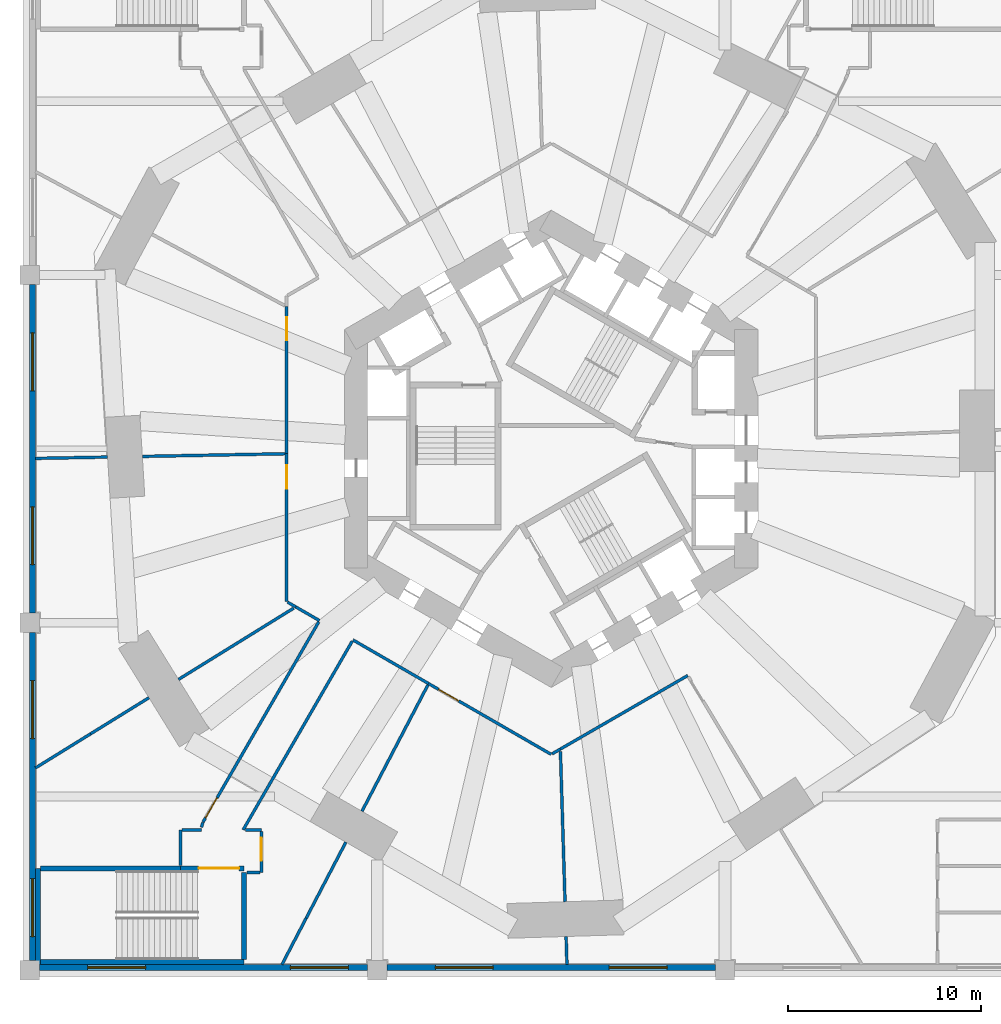
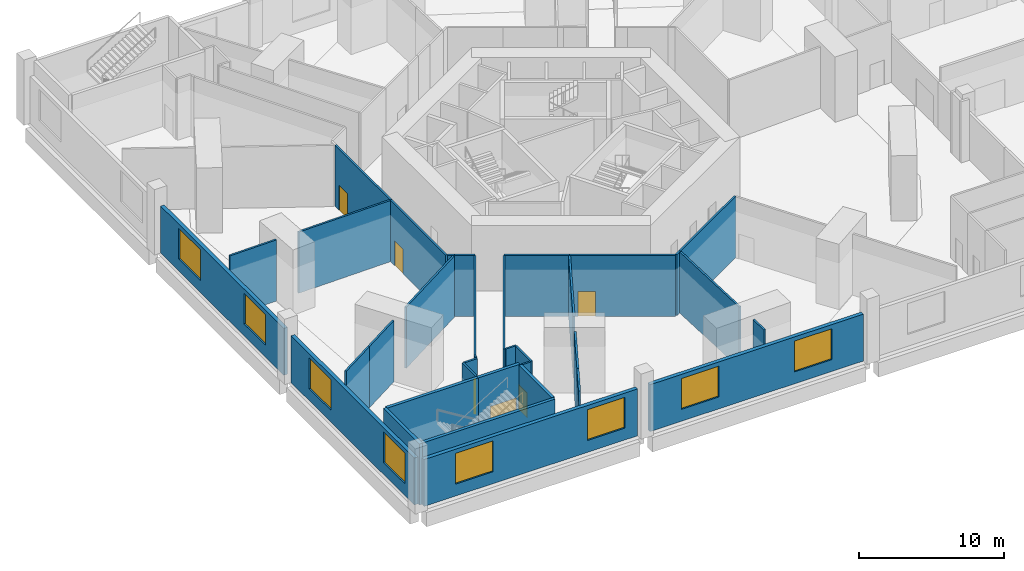
# One storey, part 5 of 16: 35 walls, 8 windows, 6 doors, 14 openings.
"""IFC4 building model written with IfcOpenShell, lengths in metres."""

import ifcopenshell
import ifcopenshell.guid

model = None  # the IFC model being written
_history = None  # IfcOwnerHistory: only IFC2X3 demands one
_inside = {}  # id of a spatial element -> (the spatial element, [elements in it])
_under = {}  # id of a project, library or spatial element -> (it, [spatial elements below it])
_declared = {}  # id of a project -> (the project, [libraries it declares])
_typed = {}  # id of a type object -> (the type object, [elements of that type])
_made_of = {}  # id of a material, layer set ... -> (it, [elements and type objects made of it])


def new_model(schema):
    """Start an empty IFC model of exactly this schema.

    Asked for "IFC4X3", IfcOpenShell would pick the latest addendum, in which some entities
    have other attributes; the version numbers below select the first issue.
    IFC2X3 requires an IfcOwnerHistory on every rooted entity: one is made here for all.
    """
    global model, _history
    if schema == "IFC4X3":
        model = ifcopenshell.file(schema_version=(4, 3, 0, 0))
    else:
        model = ifcopenshell.file(schema=schema)
    _inside.clear()
    _under.clear()
    _declared.clear()
    _typed.clear()
    _made_of.clear()
    _history = None
    if model.schema == "IFC2X3":
        org = make("IfcOrganization", Name="unknown")
        user = make(
            "IfcPersonAndOrganization",
            ThePerson=make("IfcPerson", FamilyName="unknown"),
            TheOrganization=org,
        )
        app = make(
            "IfcApplication",
            ApplicationDeveloper=org,
            Version="unknown",
            ApplicationFullName="unknown",
            ApplicationIdentifier="unknown",
        )
        _history = make(
            "IfcOwnerHistory",
            OwningUser=user,
            OwningApplication=app,
            ChangeAction="ADDED",
            CreationDate=0,
        )
    return model


def make(cls, **values):
    """One entity of the class cls with the attributes given. An attribute that is None is left unset."""
    return model.create_entity(
        cls, **{name: value for name, value in values.items() if value is not None}
    )


def rooted(cls, **values):
    """An entity with a GlobalId (a new one), such as an element, a storey or a relation."""
    return make(cls, GlobalId=ifcopenshell.guid.new(), OwnerHistory=_history, **values)


def si_unit(unit_type, name, prefix=None):
    """IfcSIUnit, for example si_unit("LENGTHUNIT", "METRE", prefix="MILLI")."""
    return make("IfcSIUnit", UnitType=unit_type, Prefix=prefix, Name=name)


def assignment(units):
    """IfcUnitAssignment: the units of a project."""
    return None if units is None else make("IfcUnitAssignment", Units=units)


def point(xyz):
    """IfcCartesianPoint."""
    return None if xyz is None else make("IfcCartesianPoint", Coordinates=xyz)


def direction(xyz):
    """IfcDirection."""
    return None if xyz is None else make("IfcDirection", DirectionRatios=xyz)


def frame(location, z_axis=None, x_axis=None):
    """IfcAxis2Placement3D, a coordinate frame: its origin and axes. An axis left out is left unset."""
    return make(
        "IfcAxis2Placement3D",
        Location=point(location),
        Axis=direction(z_axis),
        RefDirection=direction(x_axis),
    )


def frame_2d(location, x_axis=None):
    """IfcAxis2Placement2D, a coordinate frame in the plane: its origin and x axis."""
    return make(
        "IfcAxis2Placement2D", Location=point(location), RefDirection=direction(x_axis)
    )


def origin():
    """The frame at (0, 0, 0) with its axes left unset."""
    return frame((0.0, 0.0, 0.0))


def place(relative_to, where):
    """IfcLocalPlacement: puts the frame where relative to a parent placement (None: the world)."""
    return make(
        "IfcLocalPlacement", PlacementRelTo=relative_to, RelativePlacement=where
    )


def context(
    kind, dimensions, precision=None, world=None, true_north=None, identifier=None
):
    """IfcGeometricRepresentationContext, for example the 3D "Model" context."""
    return make(
        "IfcGeometricRepresentationContext",
        ContextIdentifier=identifier,
        ContextType=kind,
        CoordinateSpaceDimension=dimensions,
        Precision=precision,
        WorldCoordinateSystem=world,
        TrueNorth=true_north,
    )


def subcontext(parent, identifier, kind, view, scale=None):
    """IfcGeometricRepresentationSubContext, for example "Body" below "Model"."""
    return make(
        "IfcGeometricRepresentationSubContext",
        ContextIdentifier=identifier,
        ContextType=kind,
        ParentContext=parent,
        TargetScale=scale,
        TargetView=view,
    )


def project(units=None, contexts=None):
    """IfcProject with its units and contexts."""
    return rooted(
        "IfcProject",
        Name="project",
        RepresentationContexts=contexts,
        UnitsInContext=assignment(units),
    )


def spatial(cls, under=None, at=None, **own):
    """A site, building, storey or space (cls), placed at a placement, below another one or the project."""
    s = rooted(cls, ObjectPlacement=at, **own)
    if under is not None:
        _under.setdefault(under.id(), (under, []))[1].append(s)
    return s


def profile(cls, at=None, kind="AREA", **sizes):
    """A parametric profile (cls). Its sizes go by their IFC names, for example OverallWidth=200.0."""
    return make(cls, ProfileType=kind, Position=at, **sizes)


def rectangle(**sizes):
    """IfcRectangleProfileDef."""
    return profile("IfcRectangleProfileDef", **sizes)


def extrude(swept, where, along, depth):
    """IfcExtrudedAreaSolid: the profile swept, set in the frame where, extruded along a direction by depth."""
    return make(
        "IfcExtrudedAreaSolid",
        SweptArea=swept,
        Position=where,
        ExtrudedDirection=direction(along),
        Depth=depth,
    )


def shape(context_of_items, identifier, shape_type, items):
    """IfcShapeRepresentation: the items that make up one representation, for example the "Body"."""
    return make(
        "IfcShapeRepresentation",
        ContextOfItems=context_of_items,
        RepresentationIdentifier=identifier,
        RepresentationType=shape_type,
        Items=items,
    )


def material(Name=None, Category=None):
    """IfcMaterial."""
    return make("IfcMaterial", Name=Name, Category=Category)


def layer(
    of_material, thickness, ventilated=None, Name=None, Category=None, Priority=None
):
    """IfcMaterialLayer: one layer of a wall or slab, of a material (None: an air gap)."""
    return make(
        "IfcMaterialLayer",
        Material=of_material,
        LayerThickness=thickness,
        IsVentilated=ventilated,
        Name=Name,
        Category=Category,
        Priority=Priority,
    )


def layer_set(layers, Name=None):
    """IfcMaterialLayerSet."""
    return make("IfcMaterialLayerSet", MaterialLayers=layers, LayerSetName=Name)


def made_of(thing, what):
    """Note that an element or type object is made of a material, layer set ...; save() writes the relation."""
    if what is not None:
        _made_of.setdefault(what.id(), (what, []))[1].append(thing)
    return thing


def type_object(cls, material=None, **own):
    """A type object (cls), such as IfcWallType, which elements share."""
    return made_of(rooted(cls, **own), material)


def element(
    cls,
    number,
    at=None,
    inside=None,
    cuts=None,
    type_object=None,
    material=None,
    context=None,
    identifier="Body",
    shape_type=None,
    held_by="IfcProductDefinitionShape",
    body=None,
    shapes=None,
    **own,
):
    """One element of the class cls, such as IfcWall. Its Tag is "e" and its number.

    at: its placement. inside: the storey or other place that contains it. cuts: it is an
    opening in that element (IfcRelVoidsElement). A single representation is given by context,
    identifier, shape_type and body (its items); several are given by shapes. held_by: the class
    of the entity that holds the representations. save() writes the other relations.
    """
    e = rooted(cls, Tag="e%d" % number, ObjectPlacement=at, **own)
    if body is not None:
        shapes = [shape(context, identifier, shape_type, body)]
    if shapes is not None:
        e.Representation = make(held_by, Representations=shapes)
    if inside is not None:
        _inside.setdefault(inside.id(), (inside, []))[1].append(e)
    if cuts is not None:
        rooted(
            "IfcRelVoidsElement", RelatingBuildingElement=cuts, RelatedOpeningElement=e
        )
    if type_object is not None:
        _typed.setdefault(type_object.id(), (type_object, []))[1].append(e)
    return made_of(e, material)


def fill(opening, filler):
    """IfcRelFillsElement: the door or window that sits in an opening."""
    return rooted(
        "IfcRelFillsElement",
        RelatingOpeningElement=opening,
        RelatedBuildingElement=filler,
    )


def aggregate(whole, parts):
    """IfcRelAggregates: a whole, such as a stair, and the parts it consists of."""
    return rooted("IfcRelAggregates", RelatingObject=whole, RelatedObjects=parts)


def save(model, path):
    """Write the relations noted so far, then the file.

    IfcRelAggregates (storeys below a building ...), IfcRelContainedInSpatialStructure (elements
    in a storey), IfcRelDefinesByType, IfcRelAssociatesMaterial and IfcRelDeclares: one each for
    every whole, place, type object, material and project.
    """
    for whole, parts in _under.values():
        aggregate(whole, parts)
    for where, things in _inside.values():
        rooted(
            "IfcRelContainedInSpatialStructure",
            RelatedElements=things,
            RelatingStructure=where,
        )
    for kind, things in _typed.values():
        rooted("IfcRelDefinesByType", RelatedObjects=things, RelatingType=kind)
    for what, things in _made_of.values():
        rooted("IfcRelAssociatesMaterial", RelatedObjects=things, RelatingMaterial=what)
    for by, libraries in _declared.values():
        rooted("IfcRelDeclares", RelatingContext=by, RelatedDefinitions=libraries)
    model.write(path)


model = new_model("IFC4")

# Units and contexts
model_context = context("Model", 3, precision=1e-05, world=origin(), true_north=direction((0.0, 1.0)))
body_context = subcontext(model_context, "Body", "Model", "MODEL_VIEW")
ifc_project = project(units=[si_unit("LENGTHUNIT", "METRE"), si_unit("AREAUNIT", "SQUARE_METRE"), si_unit("VOLUMEUNIT", "CUBIC_METRE"), si_unit("PLANEANGLEUNIT", "RADIAN"), si_unit("MASSUNIT", "GRAM", prefix="KILO")], contexts=[model_context])

# Site, building, storey
site_placement = place(None, origin())
site = spatial("IfcSite", under=ifc_project, at=site_placement, CompositionType="ELEMENT")
building_placement = place(site_placement, origin())
building = spatial("IfcBuilding", under=site, at=building_placement, Name="Vanh Sen Convention Tower", CompositionType="ELEMENT")
storey_placement = place(building_placement, frame((0.0, 0.0, 29.0)))
storey = spatial("IfcBuildingStorey", under=building, at=storey_placement, Name="L04", CompositionType="ELEMENT", Elevation=29.0)

# Walls
ifc_material_1 = material(Name="Concrete C40/50", Category="concrete")
ifc_layer_1 = layer(ifc_material_1, 0.25)
ifc_layer_set_1 = layer_set([ifc_layer_1], Name="Concrete C40/50")
wall_type_1 = type_object("IfcWallType", Name="Concrete wall 250 REI 180", PredefinedType="SOLIDWALL", material=ifc_layer_set_1)
wall_1_placement = place(storey_placement, frame((-15.89990234375, -21.925048828125, 0.0), z_axis=(0.0, 0.0, 1.0), x_axis=(0.0, -1.0, 0.0)))
element("IfcWall", 1, at=wall_1_placement, inside=storey, type_object=wall_type_1, Name="Fire-resisting wall L04-010", PredefinedType="SOLIDWALL", context=body_context, shape_type="SweptSolid", body=[
    extrude(rectangle(XDim=4.514892578125, YDim=0.25, at=frame_2d((2.25732421875, 0.0))), origin(), (0.0, 0.0, 1.0), 5.14990234375),
])
wall_2_placement = place(storey_placement, frame((-26.43994140625, -21.72509765625, 0.0), z_axis=(0.0, 0.0, 1.0), x_axis=(1.0, 0.0, 0.0)))
element("IfcWall", 2, at=wall_2_placement, inside=storey, type_object=wall_type_1, Name="Fire-resisting wall L04-012", PredefinedType="SOLIDWALL", context=body_context, shape_type="SweptSolid", body=[
    extrude(rectangle(XDim=7.239990234375, YDim=0.25, at=frame_2d((3.6201171875, 0.0))), origin(), (0.0, 0.0, 1.0), 5.14990234375),
])

# Wall, opening, door
wall_3_placement = place(storey_placement, frame((-19.199951171875, -21.72509765625, 0.0), z_axis=(0.0, 0.0, 1.0), x_axis=(1.0, 0.0, 0.0)))
wall_3 = element("IfcWall", 3, at=wall_3_placement, inside=storey, type_object=wall_type_1, Name="Fire-resisting wall L04-013", PredefinedType="SOLIDWALL", context=body_context, shape_type="SweptSolid", body=[
    extrude(rectangle(XDim=3.300048828125, YDim=0.25, at=frame_2d((1.64990234375, 0.0))), origin(), (0.0, 0.0, 1.0), 5.14990234375),
])
opening_1_placement = place(wall_3_placement, frame((0.949951171875, 0.0, 0.0)))
opening_1 = element("IfcOpeningElement", 4, at=opening_1_placement, cuts=wall_3, Name="Opening D04103", PredefinedType="OPENING", context=body_context, shape_type="SweptSolid", body=[
    extrude(rectangle(XDim=2.10009765625, YDim=2.39990234375, at=frame_2d((1.050048828125, 1.199951171875))), frame((0.0, 0.135009765625, 0.0), z_axis=(0.0, -1.0, 0.0), x_axis=(1.0, 0.0, 0.0)), (0.0, 0.0, 1.0), 0.27001953125),
])
ifc_material_2 = material(Name="Steel S355", Category="steel")
door_type_1 = type_object("IfcDoorType", Name="Stair door 2100 EI 60", OperationType="DOUBLE_DOOR_SINGLE_SWING", PredefinedType="DOOR", material=ifc_material_2)
door_1_placement = place(opening_1_placement, frame((2.10009765625, 0.0, 0.0), z_axis=(0.0, 0.0, 1.0), x_axis=(-1.0, 0.0, 0.0)))
door_1 = element("IfcDoor", 5, at=door_1_placement, inside=storey, type_object=door_type_1, Name="Stair door D04103", OperationType="DOUBLE_DOOR_SINGLE_SWING", OverallHeight=2.39990234375, OverallWidth=2.10009765625, PredefinedType="DOOR", context=body_context, shape_type="SweptSolid", body=[
    extrude(rectangle(XDim=2.10009765625, YDim=2.39990234375, at=frame_2d((1.050048828125, 1.199951171875))), frame((0.0, 0.02490234375, 0.0), z_axis=(0.0, -1.0, 0.0), x_axis=(1.0, 0.0, 0.0)), (0.0, 0.0, 1.0), 0.050048828125),
])
fill(opening_1, door_1)

# Walls
wall_4_placement = place(storey_placement, frame((-26.574951171875, -21.72509765625, 0.0), z_axis=(0.0, 0.0, 1.0), x_axis=(0.0, -1.0, 0.0)))
element("IfcWall", 6, at=wall_4_placement, inside=storey, type_object=wall_type_1, Name="Stair enclosure wall PS6 L04", PredefinedType="SOLIDWALL", context=body_context, shape_type="SweptSolid", body=[
    extrude(rectangle(XDim=4.974853515625, YDim=0.25, at=frame_2d((2.4873046875, 0.0))), origin(), (0.0, 0.0, 1.0), 5.14990234375),
])
wall_5_placement = place(storey_placement, frame((-26.449951171875, -26.574951171875, 0.0), z_axis=(0.0, 0.0, 1.0), x_axis=(1.0, 0.0, 0.0)))
element("IfcWall", 7, at=wall_5_placement, inside=storey, type_object=wall_type_1, Name="Stair enclosure wall PS6 L04", PredefinedType="SOLIDWALL", context=body_context, shape_type="SweptSolid", body=[
    extrude(rectangle(XDim=10.550048828125, YDim=0.25, at=frame_2d((5.27490234375, 0.0))), origin(), (0.0, 0.0, 1.0), 5.14990234375),
])
ifc_material_3 = material(Name="Acoustic operable panels on an overhead track", Category="gypsum")
ifc_layer_2 = layer(ifc_material_3, 0.14990234375)
ifc_layer_set_2 = layer_set([ifc_layer_2], Name="Acoustic operable panels on an overhead track")
wall_type_2 = type_object("IfcWallType", Name="Operable partition 150 EI 60", PredefinedType="MOVABLE", material=ifc_layer_set_2)
wall_6_placement = place(storey_placement, frame((0.478759765625, -15.6650390625, 0.0), z_axis=(0.0, 0.0, 1.0), x_axis=(0.030535907252, -0.999533670453, 0.0)))
element("IfcWall", 8, at=wall_6_placement, inside=storey, type_object=wall_type_2, Name="Operable partition L04-030", PredefinedType="MOVABLE", context=body_context, shape_type="SweptSolid", body=[
    extrude(rectangle(XDim=7.787353515625, YDim=0.14990234375, at=frame_2d((3.8935546875, 0.0))), origin(), (0.0, 0.0, 1.0), 5.14990234375),
])
ifc_material_4 = material(Name="Gypsum board on steel studs", Category="steel")
ifc_layer_3 = layer(ifc_material_4, 0.14990234375)
ifc_layer_set_3 = layer_set([ifc_layer_3], Name="Gypsum board on steel studs")
wall_type_3 = type_object("IfcWallType", Name="Partition 150 EI 60", PredefinedType="PARTITIONING", material=ifc_layer_set_3)
wall_7_placement = place(storey_placement, frame((0.771484375, -25.247802734375, 0.0), z_axis=(0.0, 0.0, 1.0), x_axis=(0.030584206332, -0.99953219374, 0.0)))
element("IfcWall", 9, at=wall_7_placement, inside=storey, type_object=wall_type_3, Name="Partition L04-004", PredefinedType="PARTITIONING", context=body_context, shape_type="SweptSolid", body=[
    extrude(rectangle(XDim=1.452880859375, YDim=0.14990234375, at=frame_2d((0.7265625, 0.0))), origin(), (0.0, 0.0, 1.0), 5.14990234375),
])
wall_8_placement = place(storey_placement, frame((-12.685546875, -24.300048828125, 0.0), z_axis=(0.0, 0.0, 1.0), x_axis=(-0.462800215564, -0.886462610872, 0.0)))
element("IfcWall", 10, at=wall_8_placement, inside=storey, type_object=wall_type_3, Name="Partition L04-005", PredefinedType="PARTITIONING", context=body_context, shape_type="SweptSolid", body=[
    extrude(rectangle(XDim=2.707275390625, YDim=0.14990234375, at=frame_2d((1.353515625, 0.0))), origin(), (0.0, 0.0, 1.0), 5.14990234375),
])
wall_9_placement = place(storey_placement, frame((-12.685546875, -24.300048828125, 0.0), z_axis=(0.0, 0.0, 1.0), x_axis=(0.462800821993, 0.88646229427, 0.0)))
element("IfcWall", 11, at=wall_9_placement, inside=storey, type_object=wall_type_3, Name="Partition L04-006", PredefinedType="PARTITIONING", context=body_context, shape_type="SweptSolid", body=[
    extrude(rectangle(XDim=4.441162109375, YDim=0.14990234375, at=frame_2d((2.220703125, 0.0))), origin(), (0.0, 0.0, 1.0), 5.14990234375),
])
wall_10_placement = place(storey_placement, frame((-15.080078125, -21.925048828125, 0.0), z_axis=(0.0, 0.0, 1.0), x_axis=(-1.0, 0.0, 0.0)))
element("IfcWall", 12, at=wall_10_placement, inside=storey, type_object=wall_type_3, Name="Partition L04-011", PredefinedType="PARTITIONING", context=body_context, shape_type="SweptSolid", body=[
    extrude(rectangle(XDim=0.679931640625, YDim=0.14990234375, at=frame_2d((0.33984375, 0.0))), origin(), (0.0, 0.0, 1.0), 5.14990234375),
])
wall_11_placement = place(storey_placement, frame((-19.199951171875, -21.5849609375, 0.0), z_axis=(0.0, 0.0, 1.0), x_axis=(0.0, 1.0, 0.0)))
element("IfcWall", 13, at=wall_11_placement, inside=storey, type_object=wall_type_3, Name="Partition L04-018", PredefinedType="PARTITIONING", context=body_context, shape_type="SweptSolid", body=[
    extrude(rectangle(XDim=1.85986328125, YDim=0.14990234375, at=frame_2d((0.929931640625, 0.0))), origin(), (0.0, 0.0, 1.0), 5.14990234375),
])

# Wall, opening, door
wall_12_placement = place(storey_placement, frame((-15.0, -19.804931640625, 0.0), z_axis=(0.0, 0.0, 1.0), x_axis=(0.0, -1.0, 0.0)))
wall_12 = element("IfcWall", 14, at=wall_12_placement, inside=storey, type_object=wall_type_3, Name="Partition L04-019", PredefinedType="PARTITIONING", context=body_context, shape_type="SweptSolid", body=[
    extrude(rectangle(XDim=2.1201171875, YDim=0.14990234375, at=frame_2d((1.06005859375, 0.0))), origin(), (0.0, 0.0, 1.0), 5.14990234375),
])
opening_2_placement = place(wall_12_placement, frame((0.320068359375, 0.0, 0.0)))
opening_2 = element("IfcOpeningElement", 15, at=opening_2_placement, cuts=wall_12, Name="Opening D04106", PredefinedType="OPENING", context=body_context, shape_type="SweptSolid", body=[
    extrude(rectangle(XDim=1.199951171875, YDim=2.10009765625, at=frame_2d((0.60009765625, 1.050048828125))), frame((0.0, 0.0849609375, 0.0), z_axis=(0.0, -1.0, 0.0), x_axis=(1.0, 0.0, 0.0)), (0.0, 0.0, 1.0), 0.169921875),
])
ifc_material_5 = material(Name="Timber door in steel frame", Category="steel")
door_type_2 = type_object("IfcDoorType", Name="Room door 1200 EI 30", OperationType="SINGLE_SWING_LEFT", PredefinedType="DOOR", material=ifc_material_5)
door_2_placement = place(opening_2_placement, origin())
door_2 = element("IfcDoor", 16, at=door_2_placement, inside=storey, type_object=door_type_2, Name="Room door D04106", OperationType="SINGLE_SWING_LEFT", OverallHeight=2.10009765625, OverallWidth=1.199951171875, PredefinedType="DOOR", context=body_context, shape_type="SweptSolid", body=[
    extrude(rectangle(XDim=1.199951171875, YDim=2.10009765625, at=frame_2d((0.60009765625, 1.050048828125))), frame((0.0, 0.02490234375, 0.0), z_axis=(0.0, -1.0, 0.0), x_axis=(1.0, 0.0, 0.0)), (0.0, 0.0, 1.0), 0.050048828125),
])
fill(opening_2, door_2)

# Walls
wall_13_placement = place(storey_placement, frame((-19.1201171875, -19.72509765625, 0.0), z_axis=(0.0, 0.0, 1.0), x_axis=(1.0, 0.0, 0.0)))
element("IfcWall", 17, at=wall_13_placement, inside=storey, type_object=wall_type_3, Name="Partition L04-020", PredefinedType="PARTITIONING", context=body_context, shape_type="SweptSolid", body=[
    extrude(rectangle(XDim=1.02001953125, YDim=0.14990234375, at=frame_2d((0.510009765625, 0.0))), origin(), (0.0, 0.0, 1.0), 5.14990234375),
])
wall_14_placement = place(storey_placement, frame((-15.824951171875, -19.72509765625, 0.0), z_axis=(0.0, 0.0, 1.0), x_axis=(1.0, 0.0, 0.0)))
element("IfcWall", 18, at=wall_14_placement, inside=storey, type_object=wall_type_3, Name="Partition L04-021", PredefinedType="PARTITIONING", context=body_context, shape_type="SweptSolid", body=[
    extrude(rectangle(XDim=0.824951171875, YDim=0.14990234375, at=frame_2d((0.41259765625, 0.0))), origin(), (0.0, 0.0, 1.0), 5.14990234375),
])
wall_15_placement = place(storey_placement, frame((-18.10009765625, -19.593017578125, 0.0), z_axis=(0.0, 0.0, 1.0), x_axis=(0.260139468531, 0.965571052234, 0.0)))
element("IfcWall", 19, at=wall_15_placement, inside=storey, type_object=wall_type_3, Name="Partition L04-023", PredefinedType="PARTITIONING", context=body_context, shape_type="SweptSolid", body=[
    extrude(rectangle(XDim=0.263671875, YDim=0.14990234375, at=frame_2d((0.1318359375, 0.0))), origin(), (0.0, 0.0, 1.0), 5.14990234375),
])

# Wall, opening, door
wall_16_placement = place(storey_placement, frame((-18.021484375, -19.3212890625, 0.0), z_axis=(0.0, 0.0, 1.0), x_axis=(0.500403049961, 0.865792577694, 0.0)))
wall_16 = element("IfcWall", 20, at=wall_16_placement, inside=storey, type_object=wall_type_3, Name="Partition L04-024", PredefinedType="PARTITIONING", context=body_context, shape_type="SweptSolid", body=[
    extrude(rectangle(XDim=11.96337890625, YDim=0.14990234375, at=frame_2d((5.981689453125, 0.0))), origin(), (0.0, 0.0, 1.0), 5.14990234375),
])
opening_3_placement = place(wall_16_placement, frame((0.25, 0.0, 0.0)))
opening_3 = element("IfcOpeningElement", 21, at=opening_3_placement, cuts=wall_16, Name="Opening D04107", PredefinedType="OPENING", context=body_context, shape_type="SweptSolid", body=[
    extrude(rectangle(XDim=1.199951171875, YDim=2.10009765625, at=frame_2d((0.60009765625, 1.050048828125))), frame((0.0, 0.0849609375, 0.0), z_axis=(0.0, -1.0, 0.0), x_axis=(1.0, 0.0, 0.0)), (0.0, 0.0, 1.0), 0.169921875),
])
door_3_placement = place(opening_3_placement, origin())
door_3 = element("IfcDoor", 22, at=door_3_placement, inside=storey, type_object=door_type_2, Name="Room door D04107", OperationType="SINGLE_SWING_LEFT", OverallHeight=2.10009765625, OverallWidth=1.199951171875, PredefinedType="DOOR", context=body_context, shape_type="SweptSolid", body=[
    extrude(rectangle(XDim=1.199951171875, YDim=2.10009765625, at=frame_2d((0.60009765625, 1.050048828125))), frame((0.0, 0.02490234375, 0.0), z_axis=(0.0, -1.0, 0.0), x_axis=(1.0, 0.0, 0.0)), (0.0, 0.0, 1.0), 0.050048828125),
])
fill(opening_3, door_3)

# Wall
wall_17_placement = place(storey_placement, frame((-9.79638671875, -18.765869140625, 0.0), z_axis=(0.0, 0.0, 1.0), x_axis=(0.462793341808, 0.886466199456, 0.0)))
element("IfcWall", 23, at=wall_17_placement, inside=storey, type_object=wall_type_3, Name="Partition L04-027", PredefinedType="PARTITIONING", context=body_context, shape_type="SweptSolid", body=[
    extrude(rectangle(XDim=7.37646484375, YDim=0.14990234375, at=frame_2d((3.688232421875, 0.0))), origin(), (0.0, 0.0, 1.0), 5.14990234375),
])

# Wall, opening, door
wall_18_placement = place(storey_placement, frame((0.0, -15.819580078125, 0.0), z_axis=(0.0, 0.0, 1.0), x_axis=(-0.866018019704, 0.500012789385, 0.0)))
wall_18 = element("IfcWall", 24, at=wall_18_placement, inside=storey, type_object=wall_type_3, Name="Partition L04-029", PredefinedType="PARTITIONING", context=body_context, shape_type="SweptSolid", body=[
    extrude(rectangle(XDim=7.327392578125, YDim=0.14990234375, at=frame_2d((3.66357421875, 0.0))), origin(), (0.0, 0.0, 1.0), 5.14990234375),
])
opening_4_placement = place(wall_18_placement, frame((5.52734375, 0.0, 0.0)))
opening_4 = element("IfcOpeningElement", 25, at=opening_4_placement, cuts=wall_18, Name="Opening D04109", PredefinedType="OPENING", context=body_context, shape_type="SweptSolid", body=[
    extrude(rectangle(XDim=1.199951171875, YDim=2.10009765625, at=frame_2d((0.60009765625, 1.050048828125))), frame((0.0, 0.0849609375, 0.0), z_axis=(0.0, -1.0, 0.0), x_axis=(1.0, 0.0, 0.0)), (0.0, 0.0, 1.0), 0.169921875),
])
door_4_placement = place(opening_4_placement, origin())
door_4 = element("IfcDoor", 26, at=door_4_placement, inside=storey, type_object=door_type_2, Name="Room door D04109", OperationType="SINGLE_SWING_LEFT", OverallHeight=2.10009765625, OverallWidth=1.199951171875, PredefinedType="DOOR", context=body_context, shape_type="SweptSolid", body=[
    extrude(rectangle(XDim=1.199951171875, YDim=2.10009765625, at=frame_2d((0.60009765625, 1.050048828125))), frame((0.0, 0.02490234375, 0.0), z_axis=(0.0, -1.0, 0.0), x_axis=(1.0, 0.0, 0.0)), (0.0, 0.0, 1.0), 0.050048828125),
])
fill(opening_4, door_4)

# Walls
wall_19_placement = place(storey_placement, frame((0.474853515625, -15.545166015625, 0.0), z_axis=(0.0, 0.0, 1.0), x_axis=(0.866021168401, 0.500007335828, 0.0)))
element("IfcWall", 27, at=wall_19_placement, inside=storey, type_object=wall_type_3, Name="Partition L04-031", PredefinedType="PARTITIONING", context=body_context, shape_type="SweptSolid", body=[
    extrude(rectangle(XDim=7.6162109375, YDim=0.14990234375, at=frame_2d((3.80810546875, 0.0))), origin(), (0.0, 0.0, 1.0), 5.14990234375),
])
wall_20_placement = place(storey_placement, frame((0.47509765625, -15.545166015625, 0.0), z_axis=(0.0, 0.0, 1.0), x_axis=(-0.865927594567, -0.50016937228, 0.0)))
element("IfcWall", 28, at=wall_20_placement, inside=storey, type_object=wall_type_3, Name="Partition L04-032", PredefinedType="PARTITIONING", context=body_context, shape_type="SweptSolid", body=[
    extrude(rectangle(XDim=0.488525390625, YDim=0.14990234375, at=frame_2d((0.244140625, 0.0))), origin(), (0.0, 0.0, 1.0), 5.14990234375),
])
wall_21_placement = place(storey_placement, frame((-23.843017578125, -14.75439453125, 0.0), z_axis=(0.0, 0.0, 1.0), x_axis=(-0.850333278488, -0.526244539635, 0.0)))
element("IfcWall", 29, at=wall_21_placement, inside=storey, type_object=wall_type_3, Name="Partition L04-033", PredefinedType="PARTITIONING", context=body_context, shape_type="SweptSolid", body=[
    extrude(rectangle(XDim=3.35986328125, YDim=0.14990234375, at=frame_2d((1.679931640625, 0.0))), origin(), (0.0, 0.0, 1.0), 5.14990234375),
])
wall_22_placement = place(storey_placement, frame((-23.843017578125, -14.75439453125, 0.0), z_axis=(0.0, 0.0, 1.0), x_axis=(0.850369165181, 0.526186547633, 0.0)))
element("IfcWall", 30, at=wall_22_placement, inside=storey, type_object=wall_type_3, Name="Partition L04-034", PredefinedType="PARTITIONING", context=body_context, shape_type="SweptSolid", body=[
    extrude(rectangle(XDim=3.55078125, YDim=0.14990234375, at=frame_2d((1.775390625, 0.0))), origin(), (0.0, 0.0, 1.0), 5.14990234375),
])
wall_23_placement = place(storey_placement, frame((-6.345703125, -12.15576171875, 0.0), z_axis=(0.0, 0.0, 1.0), x_axis=(-0.866015706063, 0.50001679657, 0.0)))
element("IfcWall", 31, at=wall_23_placement, inside=storey, type_object=wall_type_3, Name="Partition L04-036", PredefinedType="PARTITIONING", context=body_context, shape_type="SweptSolid", body=[
    extrude(rectangle(XDim=4.523193359375, YDim=0.14990234375, at=frame_2d((2.26171875, 0.0))), origin(), (0.0, 0.0, 1.0), 5.14990234375),
])
wall_24_placement = place(storey_placement, frame((-19.29296875, -11.93896484375, 0.0), z_axis=(0.0, 0.0, 1.0), x_axis=(0.85034374829, 0.526227621609, 0.0)))
element("IfcWall", 32, at=wall_24_placement, inside=storey, type_object=wall_type_3, Name="Partition L04-037", PredefinedType="PARTITIONING", context=body_context, shape_type="SweptSolid", body=[
    extrude(rectangle(XDim=7.015869140625, YDim=0.14990234375, at=frame_2d((3.5078125, 0.0))), origin(), (0.0, 0.0, 1.0), 5.14990234375),
])
wall_25_placement = place(storey_placement, frame((-10.302978515625, -9.96337890625, 0.0), z_axis=(0.0, 0.0, 1.0), x_axis=(-0.500409628778, -0.865788775295, 0.0)))
element("IfcWall", 33, at=wall_25_placement, inside=storey, type_object=wall_type_3, Name="Partition L04-038", PredefinedType="PARTITIONING", context=body_context, shape_type="SweptSolid", body=[
    extrude(rectangle(XDim=11.27490234375, YDim=0.14990234375, at=frame_2d((5.637451171875, 0.0))), origin(), (0.0, 0.0, 1.0), 5.14990234375),
])
wall_26_placement = place(storey_placement, frame((-11.9951171875, -8.89404296875, 0.0), z_axis=(0.0, 0.0, 1.0), x_axis=(-0.866076810767, 0.499910949922, 0.0)))
element("IfcWall", 34, at=wall_26_placement, inside=storey, type_object=wall_type_3, Name="Partition L04-041", PredefinedType="PARTITIONING", context=body_context, shape_type="SweptSolid", body=[
    extrude(rectangle(XDim=1.420166015625, YDim=0.14990234375, at=frame_2d((0.7099609375, 0.0))), origin(), (0.0, 0.0, 1.0), 5.14990234375),
])
wall_27_placement = place(storey_placement, frame((-13.64794921875, -7.939453125, 0.0), z_axis=(0.0, 0.0, 1.0), x_axis=(0.865585916185, -0.500760443428, 0.0)))
element("IfcWall", 35, at=wall_27_placement, inside=storey, type_object=wall_type_3, Name="Partition L04-044", PredefinedType="PARTITIONING", context=body_context, shape_type="SweptSolid", body=[
    extrude(rectangle(XDim=0.488525390625, YDim=0.14990234375, at=frame_2d((0.244140625, 0.0))), origin(), (0.0, 0.0, 1.0), 5.14990234375),
])

# Wall, opening, door
wall_28_placement = place(storey_placement, frame((-13.699951171875, -7.909423828125, 0.0), z_axis=(0.0, 0.0, 1.0), x_axis=(0.0, 1.0, 0.0)))
wall_28 = element("IfcWall", 36, at=wall_28_placement, inside=storey, type_object=wall_type_3, Name="Partition L04-045", PredefinedType="PARTITIONING", context=body_context, shape_type="SweptSolid", body=[
    extrude(rectangle(XDim=7.654541015625, YDim=0.14990234375, at=frame_2d((3.8271484375, 0.0))), origin(), (0.0, 0.0, 1.0), 5.14990234375),
])
opening_5_placement = place(wall_28_placement, frame((5.8544921875, 0.0, 0.0)))
opening_5 = element("IfcOpeningElement", 37, at=opening_5_placement, cuts=wall_28, Name="Opening D04110", PredefinedType="OPENING", context=body_context, shape_type="SweptSolid", body=[
    extrude(rectangle(XDim=1.199951171875, YDim=2.10009765625, at=frame_2d((0.60009765625, 1.050048828125))), frame((0.0, 0.0849609375, 0.0), z_axis=(0.0, -1.0, 0.0), x_axis=(1.0, 0.0, 0.0)), (0.0, 0.0, 1.0), 0.169921875),
])
door_5_placement = place(opening_5_placement, origin())
door_5 = element("IfcDoor", 38, at=door_5_placement, inside=storey, type_object=door_type_2, Name="Room door D04110", OperationType="SINGLE_SWING_LEFT", OverallHeight=2.10009765625, OverallWidth=1.199951171875, PredefinedType="DOOR", context=body_context, shape_type="SweptSolid", body=[
    extrude(rectangle(XDim=1.199951171875, YDim=2.10009765625, at=frame_2d((0.60009765625, 1.050048828125))), frame((0.0, 0.02490234375, 0.0), z_axis=(0.0, -1.0, 0.0), x_axis=(1.0, 0.0, 0.0)), (0.0, 0.0, 1.0), 0.050048828125),
])
fill(opening_5, door_5)

# Walls
wall_29_placement = place(storey_placement, frame((-22.966552734375, -0.427490234375, 0.0), z_axis=(0.0, 0.0, 1.0), x_axis=(-0.999826372694, -0.018633959993, 0.0)))
element("IfcWall", 39, at=wall_29_placement, inside=storey, type_object=wall_type_3, Name="Partition L04-050", PredefinedType="PARTITIONING", context=body_context, shape_type="SweptSolid", body=[
    extrude(rectangle(XDim=3.734130859375, YDim=0.14990234375, at=frame_2d((1.8671875, 0.0))), origin(), (0.0, 0.0, 1.0), 5.14990234375),
])
wall_30_placement = place(storey_placement, frame((-13.780029296875, -0.256591796875, 0.0), z_axis=(0.0, 0.0, 1.0), x_axis=(-0.999826849708, -0.018608347649, 0.0)))
element("IfcWall", 40, at=wall_30_placement, inside=storey, type_object=wall_type_3, Name="Partition L04-051", PredefinedType="PARTITIONING", context=body_context, shape_type="SweptSolid", body=[
    extrude(rectangle(XDim=7.386474609375, YDim=0.14990234375, at=frame_2d((3.693359375, 0.0))), origin(), (0.0, 0.0, 1.0), 5.14990234375),
])

# Wall, opening, door
wall_31_placement = place(storey_placement, frame((-13.699951171875, -0.2548828125, 0.0), z_axis=(0.0, 0.0, 1.0), x_axis=(0.0, 1.0, 0.0)))
wall_31 = element("IfcWall", 41, at=wall_31_placement, inside=storey, type_object=wall_type_3, Name="Partition L04-052", PredefinedType="PARTITIONING", context=body_context, shape_type="SweptSolid", body=[
    extrude(rectangle(XDim=7.616455078125, YDim=0.14990234375, at=frame_2d((3.80810546875, 0.0))), origin(), (0.0, 0.0, 1.0), 5.14990234375),
])
opening_6_placement = place(wall_31_placement, frame((5.866455078125, 0.0, 0.0)))
opening_6 = element("IfcOpeningElement", 42, at=opening_6_placement, cuts=wall_31, Name="Opening D04115", PredefinedType="OPENING", context=body_context, shape_type="SweptSolid", body=[
    extrude(rectangle(XDim=1.199951171875, YDim=2.10009765625, at=frame_2d((0.60009765625, 1.050048828125))), frame((0.0, 0.0849609375, 0.0), z_axis=(0.0, -1.0, 0.0), x_axis=(1.0, 0.0, 0.0)), (0.0, 0.0, 1.0), 0.169921875),
])
door_6_placement = place(opening_6_placement, origin())
door_6 = element("IfcDoor", 43, at=door_6_placement, inside=storey, type_object=door_type_2, Name="Room door D04115", OperationType="SINGLE_SWING_LEFT", OverallHeight=2.10009765625, OverallWidth=1.199951171875, PredefinedType="DOOR", context=body_context, shape_type="SweptSolid", body=[
    extrude(rectangle(XDim=1.199951171875, YDim=2.10009765625, at=frame_2d((0.60009765625, 1.050048828125))), frame((0.0, 0.02490234375, 0.0), z_axis=(0.0, -1.0, 0.0), x_axis=(1.0, 0.0, 0.0)), (0.0, 0.0, 1.0), 0.050048828125),
])
fill(opening_6, door_6)

# Wall, openings, windows
ifc_material_6 = material(Name="Concrete C50/60", Category="concrete")
ifc_layer_4 = layer(ifc_material_6, 0.300048828125)
ifc_layer_set_4 = layer_set([ifc_layer_4], Name="Concrete C50/60")
wall_type_4 = type_object("IfcWallType", Name="Podium wall 300", PredefinedType="STANDARD", material=ifc_layer_set_4)
wall_32_placement = place(storey_placement, frame((-26.5, -26.85009765625, 0.0), z_axis=(0.0, 0.0, 1.0), x_axis=(1.0, 0.0, 0.0)))
wall_32 = element("IfcWall", 44, at=wall_32_placement, inside=storey, type_object=wall_type_4, Name="Podium wall S1 L04", PredefinedType="STANDARD", context=body_context, shape_type="SweptSolid", body=[
    extrude(rectangle(XDim=17.0, YDim=0.300048828125, at=frame_2d((8.5, 0.0))), origin(), (0.0, 0.0, 1.0), 3.949951171875),
])
opening_7_placement = place(wall_32_placement, frame((2.5, 0.0, 1.0)))
opening_7 = element("IfcOpeningElement", 45, at=opening_7_placement, cuts=wall_32, Name="Opening WP2-S1", PredefinedType="OPENING", context=body_context, shape_type="SweptSolid", body=[
    extrude(rectangle(XDim=3.0, YDim=2.60009765625, at=frame_2d((1.5, 1.300048828125))), frame((0.0, 0.159912109375, 0.0), z_axis=(0.0, -1.0, 0.0), x_axis=(1.0, 0.0, 0.0)), (0.0, 0.0, 1.0), 0.320068359375),
])
opening_8_placement = place(wall_32_placement, frame((13.0, 0.0, 1.0)))
opening_8 = element("IfcOpeningElement", 46, at=opening_8_placement, cuts=wall_32, Name="Opening WP2-S2", PredefinedType="OPENING", context=body_context, shape_type="SweptSolid", body=[
    extrude(rectangle(XDim=3.0, YDim=2.60009765625, at=frame_2d((1.5, 1.300048828125))), frame((0.0, 0.159912109375, 0.0), z_axis=(0.0, -1.0, 0.0), x_axis=(1.0, 0.0, 0.0)), (0.0, 0.0, 1.0), 0.320068359375),
])
ifc_material_7 = material(Name="Aluminium frame with clear low-emissivity glass", Category="aluminium")
window_type = type_object("IfcWindowType", Name="Podium window 3000 x 2600", PartitioningType="SINGLE_PANEL", PredefinedType="WINDOW", material=ifc_material_7)
window_1_placement = place(opening_7_placement, origin())
window_1 = element("IfcWindow", 47, at=window_1_placement, inside=storey, type_object=window_type, Name="Window WP2-S1", OverallHeight=2.60009765625, OverallWidth=3.0, PartitioningType="SINGLE_PANEL", PredefinedType="WINDOW", context=body_context, shape_type="SweptSolid", body=[
    extrude(rectangle(XDim=3.0, YDim=2.60009765625, at=frame_2d((1.5, 1.300048828125))), frame((0.0, 0.030029296875, 0.0), z_axis=(0.0, -1.0, 0.0), x_axis=(1.0, 0.0, 0.0)), (0.0, 0.0, 1.0), 0.06005859375),
])
fill(opening_7, window_1)
window_2_placement = place(opening_8_placement, origin())
window_2 = element("IfcWindow", 48, at=window_2_placement, inside=storey, type_object=window_type, Name="Window WP2-S2", OverallHeight=2.60009765625, OverallWidth=3.0, PartitioningType="SINGLE_PANEL", PredefinedType="WINDOW", context=body_context, shape_type="SweptSolid", body=[
    extrude(rectangle(XDim=3.0, YDim=2.60009765625, at=frame_2d((1.5, 1.300048828125))), frame((0.0, 0.030029296875, 0.0), z_axis=(0.0, -1.0, 0.0), x_axis=(1.0, 0.0, 0.0)), (0.0, 0.0, 1.0), 0.06005859375),
])
fill(opening_8, window_2)

wall_33_placement = place(storey_placement, frame((-8.5, -26.85009765625, 0.0), z_axis=(0.0, 0.0, 1.0), x_axis=(1.0, 0.0, 0.0)))
wall_33 = element("IfcWall", 49, at=wall_33_placement, inside=storey, type_object=wall_type_4, Name="Podium wall S2 L04", PredefinedType="STANDARD", context=body_context, shape_type="SweptSolid", body=[
    extrude(rectangle(XDim=17.0, YDim=0.300048828125, at=frame_2d((8.5, 0.0))), origin(), (0.0, 0.0, 1.0), 3.949951171875),
])
opening_9_placement = place(wall_33_placement, frame((2.5, 0.0, 1.0)))
opening_9 = element("IfcOpeningElement", 50, at=opening_9_placement, cuts=wall_33, Name="Opening WP2-S3", PredefinedType="OPENING", context=body_context, shape_type="SweptSolid", body=[
    extrude(rectangle(XDim=3.0, YDim=2.60009765625, at=frame_2d((1.5, 1.300048828125))), frame((0.0, 0.159912109375, 0.0), z_axis=(0.0, -1.0, 0.0), x_axis=(1.0, 0.0, 0.0)), (0.0, 0.0, 1.0), 0.320068359375),
])
opening_10_placement = place(wall_33_placement, frame((11.5, 0.0, 1.0)))
opening_10 = element("IfcOpeningElement", 51, at=opening_10_placement, cuts=wall_33, Name="Opening WP2-S4", PredefinedType="OPENING", context=body_context, shape_type="SweptSolid", body=[
    extrude(rectangle(XDim=3.0, YDim=2.60009765625, at=frame_2d((1.5, 1.300048828125))), frame((0.0, 0.159912109375, 0.0), z_axis=(0.0, -1.0, 0.0), x_axis=(1.0, 0.0, 0.0)), (0.0, 0.0, 1.0), 0.320068359375),
])
window_3_placement = place(opening_9_placement, origin())
window_3 = element("IfcWindow", 52, at=window_3_placement, inside=storey, type_object=window_type, Name="Window WP2-S3", OverallHeight=2.60009765625, OverallWidth=3.0, PartitioningType="SINGLE_PANEL", PredefinedType="WINDOW", context=body_context, shape_type="SweptSolid", body=[
    extrude(rectangle(XDim=3.0, YDim=2.60009765625, at=frame_2d((1.5, 1.300048828125))), frame((0.0, 0.030029296875, 0.0), z_axis=(0.0, -1.0, 0.0), x_axis=(1.0, 0.0, 0.0)), (0.0, 0.0, 1.0), 0.06005859375),
])
fill(opening_9, window_3)
window_4_placement = place(opening_10_placement, origin())
window_4 = element("IfcWindow", 53, at=window_4_placement, inside=storey, type_object=window_type, Name="Window WP2-S4", OverallHeight=2.60009765625, OverallWidth=3.0, PartitioningType="SINGLE_PANEL", PredefinedType="WINDOW", context=body_context, shape_type="SweptSolid", body=[
    extrude(rectangle(XDim=3.0, YDim=2.60009765625, at=frame_2d((1.5, 1.300048828125))), frame((0.0, 0.030029296875, 0.0), z_axis=(0.0, -1.0, 0.0), x_axis=(1.0, 0.0, 0.0)), (0.0, 0.0, 1.0), 0.06005859375),
])
fill(opening_10, window_4)

wall_34_placement = place(storey_placement, frame((-26.85009765625, 8.5, 0.0), z_axis=(0.0, 0.0, 1.0), x_axis=(0.0, -1.0, 0.0)))
wall_34 = element("IfcWall", 54, at=wall_34_placement, inside=storey, type_object=wall_type_4, Name="Podium wall W2 L04", PredefinedType="STANDARD", context=body_context, shape_type="SweptSolid", body=[
    extrude(rectangle(XDim=17.0, YDim=0.300048828125, at=frame_2d((8.5, 0.0))), origin(), (0.0, 0.0, 1.0), 3.949951171875),
])
opening_11_placement = place(wall_34_placement, frame((2.5, 0.0, 1.0)))
opening_11 = element("IfcOpeningElement", 55, at=opening_11_placement, cuts=wall_34, Name="Opening WP2-W3", PredefinedType="OPENING", context=body_context, shape_type="SweptSolid", body=[
    extrude(rectangle(XDim=3.0, YDim=2.60009765625, at=frame_2d((1.5, 1.300048828125))), frame((0.0, 0.159912109375, 0.0), z_axis=(0.0, -1.0, 0.0), x_axis=(1.0, 0.0, 0.0)), (0.0, 0.0, 1.0), 0.320068359375),
])
opening_12_placement = place(wall_34_placement, frame((11.5, 0.0, 1.0)))
opening_12 = element("IfcOpeningElement", 56, at=opening_12_placement, cuts=wall_34, Name="Opening WP2-W4", PredefinedType="OPENING", context=body_context, shape_type="SweptSolid", body=[
    extrude(rectangle(XDim=3.0, YDim=2.60009765625, at=frame_2d((1.5, 1.300048828125))), frame((0.0, 0.159912109375, 0.0), z_axis=(0.0, -1.0, 0.0), x_axis=(1.0, 0.0, 0.0)), (0.0, 0.0, 1.0), 0.320068359375),
])
window_5_placement = place(opening_11_placement, origin())
window_5 = element("IfcWindow", 57, at=window_5_placement, inside=storey, type_object=window_type, Name="Window WP2-W3", OverallHeight=2.60009765625, OverallWidth=3.0, PartitioningType="SINGLE_PANEL", PredefinedType="WINDOW", context=body_context, shape_type="SweptSolid", body=[
    extrude(rectangle(XDim=3.0, YDim=2.60009765625, at=frame_2d((1.5, 1.300048828125))), frame((0.0, 0.030029296875, 0.0), z_axis=(0.0, -1.0, 0.0), x_axis=(1.0, 0.0, 0.0)), (0.0, 0.0, 1.0), 0.06005859375),
])
fill(opening_11, window_5)
window_6_placement = place(opening_12_placement, origin())
window_6 = element("IfcWindow", 58, at=window_6_placement, inside=storey, type_object=window_type, Name="Window WP2-W4", OverallHeight=2.60009765625, OverallWidth=3.0, PartitioningType="SINGLE_PANEL", PredefinedType="WINDOW", context=body_context, shape_type="SweptSolid", body=[
    extrude(rectangle(XDim=3.0, YDim=2.60009765625, at=frame_2d((1.5, 1.300048828125))), frame((0.0, 0.030029296875, 0.0), z_axis=(0.0, -1.0, 0.0), x_axis=(1.0, 0.0, 0.0)), (0.0, 0.0, 1.0), 0.06005859375),
])
fill(opening_12, window_6)

wall_35_placement = place(storey_placement, frame((-26.85009765625, -9.5, 0.0), z_axis=(0.0, 0.0, 1.0), x_axis=(0.0, -1.0, 0.0)))
wall_35 = element("IfcWall", 59, at=wall_35_placement, inside=storey, type_object=wall_type_4, Name="Podium wall W3 L04", PredefinedType="STANDARD", context=body_context, shape_type="SweptSolid", body=[
    extrude(rectangle(XDim=17.0, YDim=0.300048828125, at=frame_2d((8.5, 0.0))), origin(), (0.0, 0.0, 1.0), 3.949951171875),
])
opening_13_placement = place(wall_35_placement, frame((2.5, 0.0, 1.0)))
opening_13 = element("IfcOpeningElement", 60, at=opening_13_placement, cuts=wall_35, Name="Opening WP2-W5", PredefinedType="OPENING", context=body_context, shape_type="SweptSolid", body=[
    extrude(rectangle(XDim=3.0, YDim=2.60009765625, at=frame_2d((1.5, 1.300048828125))), frame((0.0, 0.159912109375, 0.0), z_axis=(0.0, -1.0, 0.0), x_axis=(1.0, 0.0, 0.0)), (0.0, 0.0, 1.0), 0.320068359375),
])
opening_14_placement = place(wall_35_placement, frame((12.75, 0.0, 1.0)))
opening_14 = element("IfcOpeningElement", 61, at=opening_14_placement, cuts=wall_35, Name="Opening WP2-W6", PredefinedType="OPENING", context=body_context, shape_type="SweptSolid", body=[
    extrude(rectangle(XDim=3.0, YDim=2.60009765625, at=frame_2d((1.5, 1.300048828125))), frame((0.0, 0.159912109375, 0.0), z_axis=(0.0, -1.0, 0.0), x_axis=(1.0, 0.0, 0.0)), (0.0, 0.0, 1.0), 0.320068359375),
])
window_7_placement = place(opening_13_placement, origin())
window_7 = element("IfcWindow", 62, at=window_7_placement, inside=storey, type_object=window_type, Name="Window WP2-W5", OverallHeight=2.60009765625, OverallWidth=3.0, PartitioningType="SINGLE_PANEL", PredefinedType="WINDOW", context=body_context, shape_type="SweptSolid", body=[
    extrude(rectangle(XDim=3.0, YDim=2.60009765625, at=frame_2d((1.5, 1.300048828125))), frame((0.0, 0.030029296875, 0.0), z_axis=(0.0, -1.0, 0.0), x_axis=(1.0, 0.0, 0.0)), (0.0, 0.0, 1.0), 0.06005859375),
])
fill(opening_13, window_7)
window_8_placement = place(opening_14_placement, origin())
window_8 = element("IfcWindow", 63, at=window_8_placement, inside=storey, type_object=window_type, Name="Window WP2-W6", OverallHeight=2.60009765625, OverallWidth=3.0, PartitioningType="SINGLE_PANEL", PredefinedType="WINDOW", context=body_context, shape_type="SweptSolid", body=[
    extrude(rectangle(XDim=3.0, YDim=2.60009765625, at=frame_2d((1.5, 1.300048828125))), frame((0.0, 0.030029296875, 0.0), z_axis=(0.0, -1.0, 0.0), x_axis=(1.0, 0.0, 0.0)), (0.0, 0.0, 1.0), 0.06005859375),
])
fill(opening_14, window_8)

save(model, "model.ifc")
